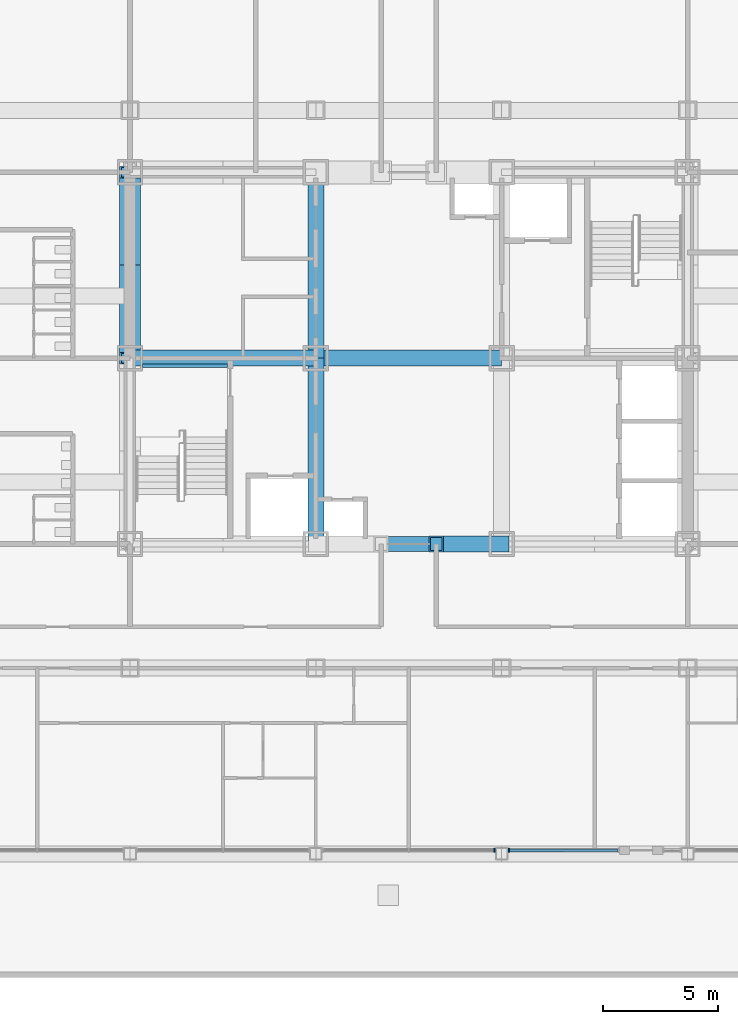
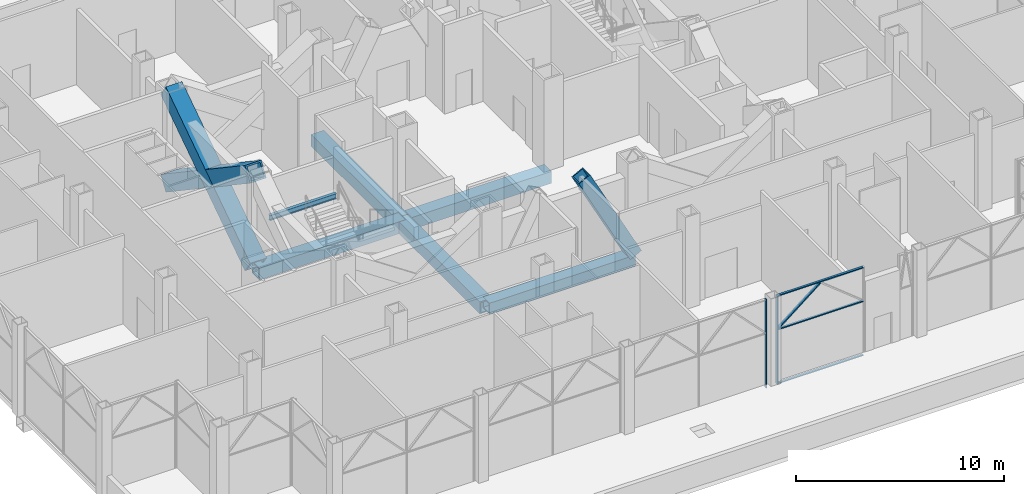
# One storey, part 5 of 29: 9 members, 6 beams, 2 elements without a shape of their own.
"""IFC4 building model written with IfcOpenShell, lengths in metres."""

from ifc_helpers import new_model, si_unit, direction, frame, origin, origin_2d, place, context, subcontext, project, spatial, rectangle, hollow_rectangle, i_section, extrude, material, material_profile, profile_set, type_object, element, aggregate, save


model = new_model("IFC4")

# Units and contexts
model_context = context("Model", 3, precision=1e-05, world=origin(), true_north=direction((0.0, 1.0)))
body_context = subcontext(model_context, "Body", "Model", "MODEL_VIEW")
ifc_project = project(units=[si_unit("LENGTHUNIT", "METRE"), si_unit("AREAUNIT", "SQUARE_METRE"), si_unit("VOLUMEUNIT", "CUBIC_METRE"), si_unit("PLANEANGLEUNIT", "RADIAN"), si_unit("MASSUNIT", "GRAM", prefix="KILO")], contexts=[model_context])

# Site, building, storey
site_placement = place(None, origin())
site = spatial("IfcSite", under=ifc_project, at=site_placement, CompositionType="ELEMENT")
building_placement = place(site_placement, origin())
building = spatial("IfcBuilding", under=site, at=building_placement, Name="Kopane Lantern Tower", CompositionType="ELEMENT")
storey_placement = place(building_placement, frame((0.0, 0.0, 165.0)))
storey = spatial("IfcBuildingStorey", under=building, at=storey_placement, Name="L42", CompositionType="ELEMENT", Elevation=165.0)

# Members
ifc_material_1 = material(Name="Steel S355JR", Category="steel")
ifc_material_profile_1 = material_profile(ifc_material_1, hollow_rectangle(XDim=0.699951171875, YDim=0.699951171875, WallThickness=0.06005859375, at=origin_2d()), Name="BOX 700x700x60")
ifc_profile_set_1 = profile_set([ifc_material_profile_1], Name="Steel S355JR")
member_type_1 = type_object("IfcMemberType", Name="BRACE BOX 700x700x60", PredefinedType="BRACE", material=ifc_profile_set_1)
member_1_placement = place(storey_placement, frame((32.39990234375, 24.300048828125, -0.25), z_axis=(-0.464053044063, 0.0, 0.885807412645), x_axis=(0.0, -1.0, 0.0)))
element("IfcMember", 1, at=member_1_placement, inside=storey, type_object=member_type_1, Name="Core brace L42", PredefinedType="BRACE", context=body_context, shape_type="SweptSolid", body=[
    extrude(hollow_rectangle(XDim=0.699951171875, YDim=0.699951171875, WallThickness=0.06005859375, at=origin_2d()), origin(), (0.0, 0.0, 1.0), 6.14111328125),
])
ifc_material_2 = material(Name="Steel S355JR", Category="steel")
ifc_material_profile_2 = material_profile(ifc_material_2, hollow_rectangle(XDim=0.89990234375, YDim=0.89990234375, WallThickness=0.090087890625, at=origin_2d()), Name="BOX 900x900x90")
ifc_profile_set_2 = profile_set([ifc_material_profile_2], Name="Steel S355JR")
member_type_2 = type_object("IfcMemberType", Name="BRACE BOX 900x900x90", PredefinedType="BRACE", material=ifc_profile_set_2)
for number, where, z_axis, x_axis, name in (
    (2, (16.199951171875, 32.39990234375, -0.25), (0.0, 0.830159256911, 0.557526329571), (-1.0, 0.0, 0.0), "Core brace L42"),
    (3, (16.199951171875, 40.5, -0.25), (0.0, -0.830159256911, 0.557526329571), (1.0, 0.0, 0.0), "Core brace L42"),
):
    element("IfcMember", number, at=place(storey_placement, frame(where, z_axis=z_axis, x_axis=x_axis)), inside=storey, type_object=member_type_2, Name=name, PredefinedType="BRACE", context=body_context, shape_type="SweptSolid", body=[
        extrude(hollow_rectangle(XDim=0.89990234375, YDim=0.89990234375, WallThickness=0.090087890625, at=origin_2d()), origin(), (0.0, 0.0, 1.0), 9.75732421875),
    ])

# Beams
ifc_material_3 = material(Name="Steel S355JR", Category="steel")
ifc_material_profile_3 = material_profile(ifc_material_3, hollow_rectangle(XDim=0.699951171875, YDim=0.699951171875, WallThickness=0.06005859375, at=origin_2d()), Name="BOX 700x700x60")
ifc_profile_set_3 = profile_set([ifc_material_profile_3], Name="Steel S355JR")
beam_type_1 = type_object("IfcBeamType", Name="CORE BEAM BOX 700x700x60", PredefinedType="BEAM", material=ifc_profile_set_3)
beam_1_placement = place(storey_placement, frame((16.199951171875, 32.39990234375, -0.60009765625), z_axis=(1.0, 0.0, 0.0), x_axis=(0.0, 1.0, 0.0)))
element("IfcBeam", 4, at=beam_1_placement, inside=storey, type_object=beam_type_1, Name="Core Beam L42", PredefinedType="BEAM", context=body_context, shape_type="SweptSolid", body=[
    extrude(hollow_rectangle(XDim=0.699951171875, YDim=0.699951171875, WallThickness=0.06005859375, at=origin_2d()), origin(), (0.0, 0.0, 1.0), 8.10009765625),
])
beam_2_placement = place(storey_placement, frame((24.300048828125, 24.300048828125, -0.60009765625), z_axis=(0.0, 1.0, 0.0), x_axis=(-1.0, 0.0, 0.0)))
element("IfcBeam", 5, at=beam_2_placement, inside=storey, type_object=beam_type_1, Name="Core Beam L42", PredefinedType="BEAM", context=body_context, shape_type="SweptSolid", body=[
    extrude(hollow_rectangle(XDim=0.699951171875, YDim=0.699951171875, WallThickness=0.06005859375, at=origin_2d()), origin(), (0.0, 0.0, 1.0), 8.099853515625),
])
beam_3_placement = place(storey_placement, frame((24.300048828125, 32.39990234375, -0.60009765625), z_axis=(0.0, 1.0, 0.0), x_axis=(-1.0, 0.0, 0.0)))
element("IfcBeam", 6, at=beam_3_placement, inside=storey, type_object=beam_type_1, Name="Core Beam L42", PredefinedType="BEAM", context=body_context, shape_type="SweptSolid", body=[
    extrude(hollow_rectangle(XDim=0.699951171875, YDim=0.699951171875, WallThickness=0.06005859375, at=origin_2d()), origin(), (0.0, 0.0, 1.0), 8.10009765625),
])
beam_4_placement = place(storey_placement, frame((24.300048828125, 32.39990234375, -0.60009765625), z_axis=(1.0, 0.0, 0.0), x_axis=(0.0, 1.0, 0.0)))
element("IfcBeam", 7, at=beam_4_placement, inside=storey, type_object=beam_type_1, Name="Core Beam L42", PredefinedType="BEAM", context=body_context, shape_type="SweptSolid", body=[
    extrude(hollow_rectangle(XDim=0.699951171875, YDim=0.699951171875, WallThickness=0.06005859375, at=origin_2d()), origin(), (0.0, 0.0, 1.0), 8.099853515625),
])
ifc_material_4 = material(Name="Steel S355JR", Category="steel")
ifc_material_profile_4 = material_profile(ifc_material_4, hollow_rectangle(XDim=0.64990234375, YDim=0.64990234375, WallThickness=0.070068359375, at=origin_2d()), Name="BOX 650x650x70")
ifc_profile_set_4 = profile_set([ifc_material_profile_4], Name="Steel S355JR")
beam_type_2 = type_object("IfcBeamType", Name="LINK BEAM BOX 650x650x70", PredefinedType="BEAM", material=ifc_profile_set_4)
beam_5_placement = place(storey_placement, frame((24.300048828125, 24.300048828125, -0.574951171875), z_axis=(1.0, 0.0, 0.0), x_axis=(0.0, 1.0, 0.0)))
element("IfcBeam", 8, at=beam_5_placement, inside=storey, type_object=beam_type_2, Name="Link Beam L42", PredefinedType="BEAM", context=body_context, shape_type="SweptSolid", body=[
    extrude(hollow_rectangle(XDim=0.64990234375, YDim=0.64990234375, WallThickness=0.070068359375, at=origin_2d()), origin(), (0.0, 0.0, 1.0), 8.099853515625),
])

# Curtain wall, member
ifc_material_5 = material(Name="Aluminium and clear glass", Category="aluminium")
curtain_wall_type = type_object("IfcCurtainWallType", Name="CURTAIN WALL CW4 RESIDENCES LOBBY", PredefinedType="USERDEFINED", material=ifc_material_5)
curtain_wall_1_placement = place(storey_placement, origin())
curtain_wall_1 = element("IfcCurtainWall", 9, at=curtain_wall_1_placement, inside=storey, type_object=curtain_wall_type, Name="Curtain wall CW4 S L42", ObjectType="CURTAIN WALL", PredefinedType="USERDEFINED")
ifc_material_6 = material(Name="Aluminium", Category="aluminium")
ifc_material_profile_5 = material_profile(ifc_material_6, rectangle(XDim=0.06005859375, YDim=0.1650390625, at=origin_2d()), Name="AL 60x165")
ifc_profile_set_5 = profile_set([ifc_material_profile_5], Name="Aluminium")
member_type_3 = type_object("IfcMemberType", Name="MULLION CW4-M 60x165", PredefinedType="MULLION", material=ifc_profile_set_5)
member_2_placement = place(storey_placement, frame((32.090087890625, 10.949951171875, 0.0), z_axis=(0.0, 0.0, 1.0), x_axis=(1.0, 0.0, 0.0)))
member_2 = element("IfcMember", 10, at=member_2_placement, type_object=member_type_3, Name="CW4 mullion 3", PredefinedType="MULLION", context=body_context, shape_type="SweptSolid", body=[
    extrude(rectangle(XDim=0.06005859375, YDim=0.1650390625, at=origin_2d()), origin(), (0.0, 0.0, 1.0), 5.18994140625),
])
aggregate(curtain_wall_1, [member_2])

# Curtain wall, members
curtain_wall_2_placement = place(storey_placement, origin())
curtain_wall_2 = element("IfcCurtainWall", 11, at=curtain_wall_2_placement, inside=storey, type_object=curtain_wall_type, Name="Curtain wall CW4 S L42", ObjectType="CURTAIN WALL", PredefinedType="USERDEFINED")
member_3_placement = place(storey_placement, frame((32.7099609375, 10.949951171875, 0.0), z_axis=(0.0, 0.0, 1.0), x_axis=(1.0, 0.0, 0.0)))
member_3 = element("IfcMember", 12, at=member_3_placement, type_object=member_type_3, Name="CW4 mullion 1", PredefinedType="MULLION", context=body_context, shape_type="SweptSolid", body=[
    extrude(rectangle(XDim=0.06005859375, YDim=0.1650390625, at=origin_2d()), origin(), (0.0, 0.0, 1.0), 5.18994140625),
])
member_4_placement = place(storey_placement, frame((32.7587890625, 10.949951171875, 3.243408203125), z_axis=(0.780324904672, 0.0, 0.625374322425), x_axis=(-0.625374322425, 0.0, 0.780324904672)))
member_4 = element("IfcMember", 13, at=member_4_placement, type_object=member_type_3, Name="CW4 lancet mullion 1L", PredefinedType="MULLION", context=body_context, shape_type="SweptSolid", body=[
    extrude(rectangle(XDim=0.06005859375, YDim=0.1650390625, at=origin_2d()), origin(), (0.0, 0.0, 1.0), 2.9794921875),
])

# Beam
ifc_material_7 = material(Name="Steel S355JR", Category="steel")
ifc_material_profile_6 = material_profile(ifc_material_7, i_section(OverallWidth=0.1650390625, OverallDepth=0.303466796875, WebThickness=0.006103515625, FlangeThickness=0.01025390625, FilletRadius=0.0087890625, at=origin_2d()), Name="UB 305x165x40")
ifc_profile_set_6 = profile_set([ifc_material_profile_6], Name="Steel S355JR")
beam_type_3 = type_object("IfcBeamType", Name="STAIR LANDING BEAM UB 305x165x40", PredefinedType="BEAM", material=ifc_profile_set_6)
beam_6_placement = place(storey_placement, frame((16.75, 32.0673828125, 2.51708984375), z_axis=(1.0, 0.0, 0.0), x_axis=(0.0, 1.0, 0.0)))
element("IfcBeam", 14, at=beam_6_placement, inside=storey, type_object=beam_type_3, Name="Stair landing beam ST1 L42", PredefinedType="BEAM", context=body_context, shape_type="SweptSolid", body=[
    extrude(i_section(OverallWidth=0.1650390625, OverallDepth=0.303466796875, WebThickness=0.006103515625, FlangeThickness=0.01025390625, FilletRadius=0.0087890625, at=origin_2d()), origin(), (0.0, 0.0, 1.0), 3.699951171875),
])

# Member
ifc_material_8 = material(Name="Aluminium", Category="aluminium")
ifc_material_profile_7 = material_profile(ifc_material_8, rectangle(XDim=0.125, YDim=0.06005859375, at=origin_2d()), Name="AL 125x60")
ifc_profile_set_7 = profile_set([ifc_material_profile_7], Name="Aluminium")
member_type_4 = type_object("IfcMemberType", Name="TRANSOM CW4-T 60x125", PredefinedType="USERDEFINED", material=ifc_profile_set_7)
member_5_placement = place(storey_placement, frame((32.739990234375, 10.949951171875, 0.030029296875), z_axis=(1.0, 0.0, 0.0), x_axis=(0.0, 1.0, 0.0)))
member_5 = element("IfcMember", 15, at=member_5_placement, type_object=member_type_4, Name="CW4 transom 1.1", ObjectType="TRANSOM", PredefinedType="USERDEFINED", context=body_context, shape_type="SweptSolid", body=[
    extrude(rectangle(XDim=0.125, YDim=0.06005859375, at=origin_2d()), origin(), (0.0, 0.0, 1.0), 4.72509765625),
])

member_6_placement = place(storey_placement, frame((32.739990234375, 10.949951171875, 3.18994140625), z_axis=(1.0, 0.0, 0.0), x_axis=(0.0, 1.0, 0.0)))
member_6 = element("IfcMember", 16, at=member_6_placement, type_object=member_type_4, Name="CW4 transom 1.2", ObjectType="TRANSOM", PredefinedType="USERDEFINED", context=body_context, shape_type="SweptSolid", body=[
    extrude(rectangle(XDim=0.125, YDim=0.06005859375, at=origin_2d()), origin(), (0.0, 0.0, 1.0), 4.72509765625),
])

member_7_placement = place(storey_placement, frame((32.739990234375, 10.949951171875, 5.159912109375), z_axis=(1.0, 0.0, 0.0), x_axis=(0.0, 1.0, 0.0)))
member_7 = element("IfcMember", 17, at=member_7_placement, type_object=member_type_4, Name="CW4 transom 1.3", ObjectType="TRANSOM", PredefinedType="USERDEFINED", context=body_context, shape_type="SweptSolid", body=[
    extrude(rectangle(XDim=0.125, YDim=0.06005859375, at=origin_2d()), origin(), (0.0, 0.0, 1.0), 4.72509765625),
])

aggregate(curtain_wall_2, [member_3, member_5, member_6, member_7, member_4])

save(model, "model.ifc")
